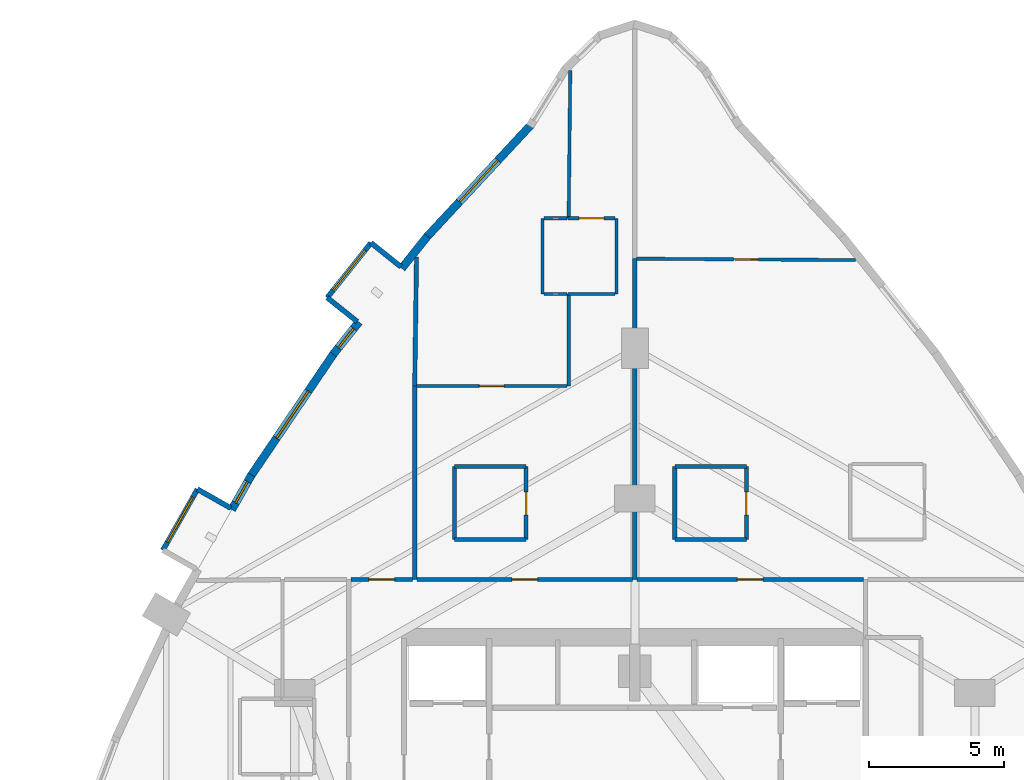
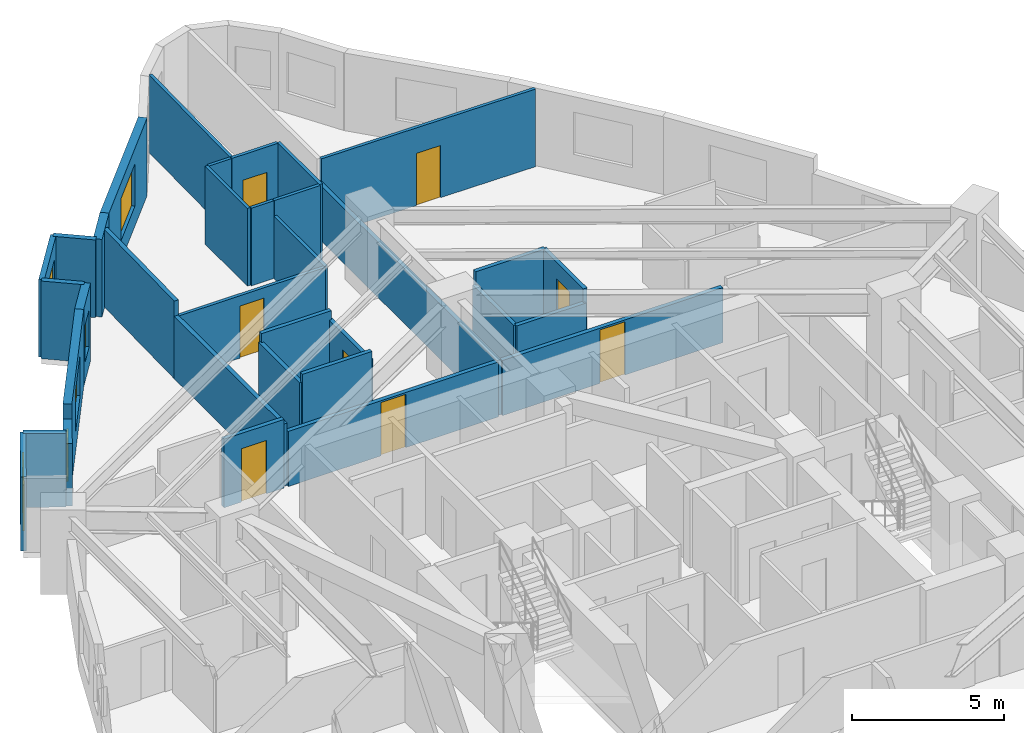
# One storey, part 13 of 15: 34 walls, 8 doors, 6 windows, 14 openings.
"""IFC4 building model written with IfcOpenShell, lengths in metres."""

import ifcopenshell
import ifcopenshell.guid

model = None  # the IFC model being written
_history = None  # IfcOwnerHistory: only IFC2X3 demands one
_inside = {}  # id of a spatial element -> (the spatial element, [elements in it])
_under = {}  # id of a project, library or spatial element -> (it, [spatial elements below it])
_declared = {}  # id of a project -> (the project, [libraries it declares])
_typed = {}  # id of a type object -> (the type object, [elements of that type])
_made_of = {}  # id of a material, layer set ... -> (it, [elements and type objects made of it])


def new_model(schema):
    """Start an empty IFC model of exactly this schema.

    Asked for "IFC4X3", IfcOpenShell would pick the latest addendum, in which some entities
    have other attributes; the version numbers below select the first issue.
    IFC2X3 requires an IfcOwnerHistory on every rooted entity: one is made here for all.
    """
    global model, _history
    if schema == "IFC4X3":
        model = ifcopenshell.file(schema_version=(4, 3, 0, 0))
    else:
        model = ifcopenshell.file(schema=schema)
    _inside.clear()
    _under.clear()
    _declared.clear()
    _typed.clear()
    _made_of.clear()
    _history = None
    if model.schema == "IFC2X3":
        org = make("IfcOrganization", Name="unknown")
        user = make(
            "IfcPersonAndOrganization",
            ThePerson=make("IfcPerson", FamilyName="unknown"),
            TheOrganization=org,
        )
        app = make(
            "IfcApplication",
            ApplicationDeveloper=org,
            Version="unknown",
            ApplicationFullName="unknown",
            ApplicationIdentifier="unknown",
        )
        _history = make(
            "IfcOwnerHistory",
            OwningUser=user,
            OwningApplication=app,
            ChangeAction="ADDED",
            CreationDate=0,
        )
    return model


def make(cls, **values):
    """One entity of the class cls with the attributes given. An attribute that is None is left unset."""
    return model.create_entity(
        cls, **{name: value for name, value in values.items() if value is not None}
    )


def rooted(cls, **values):
    """An entity with a GlobalId (a new one), such as an element, a storey or a relation."""
    return make(cls, GlobalId=ifcopenshell.guid.new(), OwnerHistory=_history, **values)


def si_unit(unit_type, name, prefix=None):
    """IfcSIUnit, for example si_unit("LENGTHUNIT", "METRE", prefix="MILLI")."""
    return make("IfcSIUnit", UnitType=unit_type, Prefix=prefix, Name=name)


def assignment(units):
    """IfcUnitAssignment: the units of a project."""
    return None if units is None else make("IfcUnitAssignment", Units=units)


def point(xyz):
    """IfcCartesianPoint."""
    return None if xyz is None else make("IfcCartesianPoint", Coordinates=xyz)


def direction(xyz):
    """IfcDirection."""
    return None if xyz is None else make("IfcDirection", DirectionRatios=xyz)


def frame(location, z_axis=None, x_axis=None):
    """IfcAxis2Placement3D, a coordinate frame: its origin and axes. An axis left out is left unset."""
    return make(
        "IfcAxis2Placement3D",
        Location=point(location),
        Axis=direction(z_axis),
        RefDirection=direction(x_axis),
    )


def frame_2d(location, x_axis=None):
    """IfcAxis2Placement2D, a coordinate frame in the plane: its origin and x axis."""
    return make(
        "IfcAxis2Placement2D", Location=point(location), RefDirection=direction(x_axis)
    )


def origin():
    """The frame at (0, 0, 0) with its axes left unset."""
    return frame((0.0, 0.0, 0.0))


def place(relative_to, where):
    """IfcLocalPlacement: puts the frame where relative to a parent placement (None: the world)."""
    return make(
        "IfcLocalPlacement", PlacementRelTo=relative_to, RelativePlacement=where
    )


def context(
    kind, dimensions, precision=None, world=None, true_north=None, identifier=None
):
    """IfcGeometricRepresentationContext, for example the 3D "Model" context."""
    return make(
        "IfcGeometricRepresentationContext",
        ContextIdentifier=identifier,
        ContextType=kind,
        CoordinateSpaceDimension=dimensions,
        Precision=precision,
        WorldCoordinateSystem=world,
        TrueNorth=true_north,
    )


def subcontext(parent, identifier, kind, view, scale=None):
    """IfcGeometricRepresentationSubContext, for example "Body" below "Model"."""
    return make(
        "IfcGeometricRepresentationSubContext",
        ContextIdentifier=identifier,
        ContextType=kind,
        ParentContext=parent,
        TargetScale=scale,
        TargetView=view,
    )


def project(units=None, contexts=None):
    """IfcProject with its units and contexts."""
    return rooted(
        "IfcProject",
        Name="project",
        RepresentationContexts=contexts,
        UnitsInContext=assignment(units),
    )


def spatial(cls, under=None, at=None, **own):
    """A site, building, storey or space (cls), placed at a placement, below another one or the project."""
    s = rooted(cls, ObjectPlacement=at, **own)
    if under is not None:
        _under.setdefault(under.id(), (under, []))[1].append(s)
    return s


def profile(cls, at=None, kind="AREA", **sizes):
    """A parametric profile (cls). Its sizes go by their IFC names, for example OverallWidth=200.0."""
    return make(cls, ProfileType=kind, Position=at, **sizes)


def rectangle(**sizes):
    """IfcRectangleProfileDef."""
    return profile("IfcRectangleProfileDef", **sizes)


def extrude(swept, where, along, depth):
    """IfcExtrudedAreaSolid: the profile swept, set in the frame where, extruded along a direction by depth."""
    return make(
        "IfcExtrudedAreaSolid",
        SweptArea=swept,
        Position=where,
        ExtrudedDirection=direction(along),
        Depth=depth,
    )


def shape(context_of_items, identifier, shape_type, items):
    """IfcShapeRepresentation: the items that make up one representation, for example the "Body"."""
    return make(
        "IfcShapeRepresentation",
        ContextOfItems=context_of_items,
        RepresentationIdentifier=identifier,
        RepresentationType=shape_type,
        Items=items,
    )


def material(Name=None, Category=None):
    """IfcMaterial."""
    return make("IfcMaterial", Name=Name, Category=Category)


def layer(
    of_material, thickness, ventilated=None, Name=None, Category=None, Priority=None
):
    """IfcMaterialLayer: one layer of a wall or slab, of a material (None: an air gap)."""
    return make(
        "IfcMaterialLayer",
        Material=of_material,
        LayerThickness=thickness,
        IsVentilated=ventilated,
        Name=Name,
        Category=Category,
        Priority=Priority,
    )


def layer_set(layers, Name=None):
    """IfcMaterialLayerSet."""
    return make("IfcMaterialLayerSet", MaterialLayers=layers, LayerSetName=Name)


def made_of(thing, what):
    """Note that an element or type object is made of a material, layer set ...; save() writes the relation."""
    if what is not None:
        _made_of.setdefault(what.id(), (what, []))[1].append(thing)
    return thing


def type_object(cls, material=None, **own):
    """A type object (cls), such as IfcWallType, which elements share."""
    return made_of(rooted(cls, **own), material)


def element(
    cls,
    number,
    at=None,
    inside=None,
    cuts=None,
    type_object=None,
    material=None,
    context=None,
    identifier="Body",
    shape_type=None,
    held_by="IfcProductDefinitionShape",
    body=None,
    shapes=None,
    **own,
):
    """One element of the class cls, such as IfcWall. Its Tag is "e" and its number.

    at: its placement. inside: the storey or other place that contains it. cuts: it is an
    opening in that element (IfcRelVoidsElement). A single representation is given by context,
    identifier, shape_type and body (its items); several are given by shapes. held_by: the class
    of the entity that holds the representations. save() writes the other relations.
    """
    e = rooted(cls, Tag="e%d" % number, ObjectPlacement=at, **own)
    if body is not None:
        shapes = [shape(context, identifier, shape_type, body)]
    if shapes is not None:
        e.Representation = make(held_by, Representations=shapes)
    if inside is not None:
        _inside.setdefault(inside.id(), (inside, []))[1].append(e)
    if cuts is not None:
        rooted(
            "IfcRelVoidsElement", RelatingBuildingElement=cuts, RelatedOpeningElement=e
        )
    if type_object is not None:
        _typed.setdefault(type_object.id(), (type_object, []))[1].append(e)
    return made_of(e, material)


def fill(opening, filler):
    """IfcRelFillsElement: the door or window that sits in an opening."""
    return rooted(
        "IfcRelFillsElement",
        RelatingOpeningElement=opening,
        RelatedBuildingElement=filler,
    )


def aggregate(whole, parts):
    """IfcRelAggregates: a whole, such as a stair, and the parts it consists of."""
    return rooted("IfcRelAggregates", RelatingObject=whole, RelatedObjects=parts)


def save(model, path):
    """Write the relations noted so far, then the file.

    IfcRelAggregates (storeys below a building ...), IfcRelContainedInSpatialStructure (elements
    in a storey), IfcRelDefinesByType, IfcRelAssociatesMaterial and IfcRelDeclares: one each for
    every whole, place, type object, material and project.
    """
    for whole, parts in _under.values():
        aggregate(whole, parts)
    for where, things in _inside.values():
        rooted(
            "IfcRelContainedInSpatialStructure",
            RelatedElements=things,
            RelatingStructure=where,
        )
    for kind, things in _typed.values():
        rooted("IfcRelDefinesByType", RelatedObjects=things, RelatingType=kind)
    for what, things in _made_of.values():
        rooted("IfcRelAssociatesMaterial", RelatedObjects=things, RelatingMaterial=what)
    for by, libraries in _declared.values():
        rooted("IfcRelDeclares", RelatingContext=by, RelatedDefinitions=libraries)
    model.write(path)


model = new_model("IFC4")

# Units and contexts
model_context = context("Model", 3, precision=1e-05, world=origin(), true_north=direction((0.0, 1.0)))
body_context = subcontext(model_context, "Body", "Model", "MODEL_VIEW")
ifc_project = project(units=[si_unit("LENGTHUNIT", "METRE"), si_unit("AREAUNIT", "SQUARE_METRE"), si_unit("VOLUMEUNIT", "CUBIC_METRE"), si_unit("PLANEANGLEUNIT", "RADIAN"), si_unit("MASSUNIT", "GRAM", prefix="KILO")], contexts=[model_context])

# Site, building, storey
site_placement = place(None, origin())
site = spatial("IfcSite", under=ifc_project, at=site_placement, CompositionType="ELEMENT")
building_placement = place(site_placement, origin())
building = spatial("IfcBuilding", under=site, at=building_placement, Name="Miruveldt Soraemaru", CompositionType="ELEMENT")
storey_placement = place(building_placement, frame((0.0, 0.0, 36.0)))
storey = spatial("IfcBuildingStorey", under=building, at=storey_placement, Name="L09", CompositionType="ELEMENT", Elevation=36.0)

# Walls
ifc_material_1 = material(Name="White powder-coated aluminium EN AW-6060 T6", Category="aluminium")
ifc_layer_1 = layer(ifc_material_1, 0.18994140625, Name="White powder-coated aluminium EN AW-6060 T6", Category="aluminium")
ifc_layer_set_1 = layer_set([ifc_layer_1], Name="White powder-coated aluminium EN AW-6060 T6")
wall_type_1 = type_object("IfcWallType", Name="WALL-BAY-ALU190", PredefinedType="SOLIDWALL", material=ifc_layer_set_1)
for number, where, z_axis, x_axis, name in (
    (1, (35.338623046875, 66.18359375, 0.0), (0.0, 0.0, 1.0), (-0.781737193764, 0.623608017817, 0.0), "L09 Bay Window Side Cheek 1L"),
    (2, (32.60302734375, 65.039794921875, 0.0), (0.0, 0.0, 1.0), (0.781737193764, -0.623608017817, 0.0), "L09 Bay Window Side Cheek 1R"),
):
    element("IfcWall", number, at=place(storey_placement, frame(where, z_axis=z_axis, x_axis=x_axis)), inside=storey, type_object=wall_type_1, Name=name, PredefinedType="SOLIDWALL", context=body_context, shape_type="SweptSolid", body=[
        extrude(rectangle(XDim=1.425048828125, YDim=0.18994140625, at=frame_2d((0.71240234375, 0.0))), origin(), (0.0, 0.0, 1.0), 3.125),
    ])

# Wall, opening, window
wall_1_placement = place(storey_placement, frame((34.224609375, 67.072265625, 0.0), z_axis=(0.0, 0.0, 1.0), x_axis=(-0.623663926583, -0.781692590907, 0.0)))
wall_1 = element("IfcWall", 3, at=wall_1_placement, inside=storey, type_object=wall_type_1, Name="L09 Bay Window Front Frame 1", PredefinedType="SOLIDWALL", context=body_context, shape_type="SweptSolid", body=[
    extrude(rectangle(XDim=2.60009765625, YDim=0.18994140625, at=frame_2d((1.300048828125, 0.0))), origin(), (0.0, 0.0, 1.0), 3.125),
])
opening_1_placement = place(wall_1_placement, frame((0.35009765625, 0.0, 0.550048828125)))
opening_1 = element("IfcOpeningElement", 4, at=opening_1_placement, cuts=wall_1, Name="Opening WN-6", PredefinedType="OPENING", context=body_context, shape_type="SweptSolid", body=[
    extrude(rectangle(XDim=1.89990234375, YDim=1.85009765625, at=frame_2d((0.949951171875, 0.925048828125))), frame((0.0, 0.10498046875, 0.0), z_axis=(0.0, -1.0, 0.0), x_axis=(1.0, 0.0, 0.0)), (0.0, 0.0, 1.0), 0.2099609375),
])
ifc_material_2 = material(Name="Triple low-e insulated glazing", Category="glass")
window_type_1 = type_object("IfcWindowType", Name="WIN-BAYW-1900x1850", PartitioningType="SINGLE_PANEL", PredefinedType="WINDOW", material=ifc_material_2)
window_1_placement = place(opening_1_placement, origin())
window_1 = element("IfcWindow", 5, at=window_1_placement, inside=storey, type_object=window_type_1, Name="L09 Projecting Bay Window 1", OverallHeight=1.85009765625, OverallWidth=1.89990234375, PartitioningType="SINGLE_PANEL", PredefinedType="WINDOW", context=body_context, shape_type="SweptSolid", body=[
    extrude(rectangle(XDim=1.89990234375, YDim=1.85009765625, at=frame_2d((0.949951171875, 0.925048828125))), frame((0.0, 0.030029296875, 0.0), z_axis=(0.0, -1.0, 0.0), x_axis=(1.0, 0.0, 0.0)), (0.0, 0.0, 1.0), 0.06005859375),
])
fill(opening_1, window_1)

# Wall
wall_2_placement = place(storey_placement, frame((29.03466796875, 57.241943359375, 0.0), z_axis=(0.0, 0.0, 1.0), x_axis=(-0.869799191674, 0.493405883794, 0.0)))
element("IfcWall", 6, at=wall_2_placement, inside=storey, type_object=wall_type_1, Name="L09 Bay Window Side Cheek 2L", PredefinedType="SOLIDWALL", context=body_context, shape_type="SweptSolid", body=[
    extrude(rectangle(XDim=1.425048828125, YDim=0.18994140625, at=frame_2d((0.71240234375, 0.0))), origin(), (0.0, 0.0, 1.0), 2.97509765625),
])

# Wall, opening, window
wall_3_placement = place(storey_placement, frame((27.795166015625, 57.945068359375, 0.0), z_axis=(0.0, 0.0, 1.0), x_axis=(-0.493396299813, -0.869804628253, 0.0)))
wall_3 = element("IfcWall", 7, at=wall_3_placement, inside=storey, type_object=wall_type_1, Name="L09 Bay Window Front Frame 2", PredefinedType="SOLIDWALL", context=body_context, shape_type="SweptSolid", body=[
    extrude(rectangle(XDim=2.600341796875, YDim=0.18994140625, at=frame_2d((1.30029296875, 0.0))), origin(), (0.0, 0.0, 1.0), 2.97509765625),
])
opening_2_placement = place(wall_3_placement, frame((0.35009765625, 0.0, 0.550048828125)))
opening_2 = element("IfcOpeningElement", 8, at=opening_2_placement, cuts=wall_3, Name="Opening WN-6", PredefinedType="OPENING", context=body_context, shape_type="SweptSolid", body=[
    extrude(rectangle(XDim=1.89990234375, YDim=1.85009765625, at=frame_2d((0.949951171875, 0.925048828125))), frame((0.0, 0.10498046875, 0.0), z_axis=(0.0, -1.0, 0.0), x_axis=(1.0, 0.0, 0.0)), (0.0, 0.0, 1.0), 0.2099609375),
])
window_2_placement = place(opening_2_placement, origin())
window_2 = element("IfcWindow", 9, at=window_2_placement, inside=storey, type_object=window_type_1, Name="L09 Projecting Bay Window 2", OverallHeight=1.85009765625, OverallWidth=1.89990234375, PartitioningType="SINGLE_PANEL", PredefinedType="WINDOW", context=body_context, shape_type="SweptSolid", body=[
    extrude(rectangle(XDim=1.89990234375, YDim=1.85009765625, at=frame_2d((0.949951171875, 0.925048828125))), frame((0.0, 0.030029296875, 0.0), z_axis=(0.0, -1.0, 0.0), x_axis=(1.0, 0.0, 0.0)), (0.0, 0.0, 1.0), 0.06005859375),
])
fill(opening_2, window_2)

ifc_material_3 = material(Name="Precast concrete C45/55 (45 MPa)", Category="concrete")
ifc_layer_2 = layer(ifc_material_3, 0.300048828125, Name="Precast concrete C45/55 (45 MPa)", Category="concrete")
ifc_layer_set_2 = layer_set([ifc_layer_2], Name="Precast concrete C45/55 (45 MPa)")
wall_type_2 = type_object("IfcWallType", Name="WALL-EXT-PC300", PredefinedType="SOLIDWALL", material=ifc_layer_set_2)
wall_4_placement = place(storey_placement, frame((40.156494140625, 71.447998046875, 0.0), z_axis=(0.0, 0.0, 1.0), x_axis=(-0.680894211577, -0.732381780659, 0.0)))
wall_4 = element("IfcWall", 10, at=wall_4_placement, inside=storey, type_object=wall_type_2, Name="L09 Precast Concrete Facade Wall 7", PredefinedType="SOLIDWALL", context=body_context, shape_type="SweptSolid", body=[
    extrude(rectangle(XDim=5.704345703125, YDim=0.300048828125, at=frame_2d((2.85205078125, 0.0))), origin(), (0.0, 0.0, 1.0), 3.125),
])
opening_3_placement = place(wall_4_placement, frame((1.802001953125, 0.0, 0.800048828125)))
opening_3 = element("IfcOpeningElement", 11, at=opening_3_placement, cuts=wall_4, Name="Opening WN-1", PredefinedType="OPENING", context=body_context, shape_type="SweptSolid", body=[
    extrude(rectangle(XDim=2.10009765625, YDim=1.699951171875, at=frame_2d((1.050048828125, 0.85009765625))), frame((0.0, 0.16015625, 0.0), z_axis=(0.0, -1.0, 0.0), x_axis=(1.0, 0.0, 0.0)), (0.0, 0.0, 1.0), 0.320068359375),
])
window_type_2 = type_object("IfcWindowType", Name="WIN-PUNCH-2100x1700", PartitioningType="SINGLE_PANEL", PredefinedType="WINDOW", material=ifc_material_2)
window_3_placement = place(opening_3_placement, origin())
window_3 = element("IfcWindow", 12, at=window_3_placement, inside=storey, type_object=window_type_2, Name="L09 Punched Triple-Glazed Window 07.1", OverallHeight=1.699951171875, OverallWidth=2.10009765625, PartitioningType="SINGLE_PANEL", PredefinedType="WINDOW", context=body_context, shape_type="SweptSolid", body=[
    extrude(rectangle(XDim=2.10009765625, YDim=1.699951171875, at=frame_2d((1.050048828125, 0.85009765625))), frame((0.0, 0.030029296875, 0.0), z_axis=(0.0, -1.0, 0.0), x_axis=(1.0, 0.0, 0.0)), (0.0, 0.0, 1.0), 0.06005859375),
])
fill(opening_3, window_3)

# Wall
wall_5_placement = place(storey_placement, frame((36.318115234375, 67.3232421875, 0.0), z_axis=(0.0, 0.0, 1.0), x_axis=(-0.623625498771, -0.781723248524, 0.0)))
element("IfcWall", 13, at=wall_5_placement, inside=storey, type_object=wall_type_2, Name="L09 Precast Pier Wall 8A", PredefinedType="SOLIDWALL", context=body_context, shape_type="SweptSolid", body=[
    extrude(rectangle(XDim=1.531982421875, YDim=0.300048828125, at=frame_2d((0.76611328125, 0.0))), origin(), (0.0, 0.0, 1.0), 3.125),
])

# Wall, opening, window
wall_6_placement = place(storey_placement, frame((33.77880859375, 64.140380859375, 0.0), z_axis=(0.0, 0.0, 1.0), x_axis=(-0.623528092971, -0.781800944791, 0.0)))
wall_6 = element("IfcWall", 14, at=wall_6_placement, inside=storey, type_object=wall_type_2, Name="L09 Precast Pier Wall 8B", PredefinedType="SOLIDWALL", context=body_context, shape_type="SweptSolid", body=[
    extrude(rectangle(XDim=1.53173828125, YDim=0.300048828125, at=frame_2d((0.765869140625, 0.0))), origin(), (0.0, 0.0, 1.0), 3.125),
])
opening_4_placement = place(wall_6_placement, frame((0.31591796875, 0.0, 0.780029296875)))
opening_4 = element("IfcOpeningElement", 15, at=opening_4_placement, cuts=wall_6, Name="Opening WN-7", PredefinedType="OPENING", context=body_context, shape_type="SweptSolid", body=[
    extrude(rectangle(XDim=0.89990234375, YDim=1.5, at=frame_2d((0.449951171875, 0.75))), frame((0.0, 0.16015625, 0.0), z_axis=(0.0, -1.0, 0.0), x_axis=(1.0, 0.0, 0.0)), (0.0, 0.0, 1.0), 0.320068359375),
])
window_type_3 = type_object("IfcWindowType", Name="WIN-PUNCH-900x1500", PartitioningType="SINGLE_PANEL", PredefinedType="WINDOW", material=ifc_material_2)
window_4_placement = place(opening_4_placement, origin())
window_4 = element("IfcWindow", 16, at=window_4_placement, inside=storey, type_object=window_type_3, Name="L09 Punched Triple-Glazed Window 08B.1", OverallHeight=1.5, OverallWidth=0.89990234375, PartitioningType="SINGLE_PANEL", PredefinedType="WINDOW", context=body_context, shape_type="SweptSolid", body=[
    extrude(rectangle(XDim=0.89990234375, YDim=1.5, at=frame_2d((0.449951171875, 0.75))), frame((0.0, 0.030029296875, 0.0), z_axis=(0.0, -1.0, 0.0), x_axis=(1.0, 0.0, 0.0)), (0.0, 0.0, 1.0), 0.06005859375),
])
fill(opening_4, window_4)

wall_7_placement = place(storey_placement, frame((32.864990234375, 62.999267578125, 0.0), z_axis=(0.0, 0.0, 1.0), x_axis=(-0.560813032948, -0.827942475101, 0.0)))
wall_7 = element("IfcWall", 17, at=wall_7_placement, inside=storey, type_object=wall_type_2, Name="L09 Precast Concrete Facade Wall 9", PredefinedType="SOLIDWALL", context=body_context, shape_type="SweptSolid", body=[
    extrude(rectangle(XDim=5.534912109375, YDim=0.300048828125, at=frame_2d((2.767578125, 0.0))), origin(), (0.0, 0.0, 1.0), 3.125),
])
opening_5_placement = place(wall_7_placement, frame((1.718017578125, 0.0, 0.800048828125)))
opening_5 = element("IfcOpeningElement", 18, at=opening_5_placement, cuts=wall_7, Name="Opening WN-1", PredefinedType="OPENING", context=body_context, shape_type="SweptSolid", body=[
    extrude(rectangle(XDim=2.10009765625, YDim=1.699951171875, at=frame_2d((1.050048828125, 0.85009765625))), frame((0.0, 0.16015625, 0.0), z_axis=(0.0, -1.0, 0.0), x_axis=(1.0, 0.0, 0.0)), (0.0, 0.0, 1.0), 0.320068359375),
])
window_5_placement = place(opening_5_placement, origin())
window_5 = element("IfcWindow", 19, at=window_5_placement, inside=storey, type_object=window_type_2, Name="L09 Punched Triple-Glazed Window 09.1", OverallHeight=1.699951171875, OverallWidth=2.10009765625, PartitioningType="SINGLE_PANEL", PredefinedType="WINDOW", context=body_context, shape_type="SweptSolid", body=[
    extrude(rectangle(XDim=2.10009765625, YDim=1.699951171875, at=frame_2d((1.050048828125, 0.85009765625))), frame((0.0, 0.030029296875, 0.0), z_axis=(0.0, -1.0, 0.0), x_axis=(1.0, 0.0, 0.0)), (0.0, 0.0, 1.0), 0.06005859375),
])
fill(opening_5, window_5)

wall_8_placement = place(storey_placement, frame((29.7978515625, 58.47607421875, 0.0), z_axis=(0.0, 0.0, 1.0), x_axis=(-0.493382949602, -0.86981220102, 0.0)))
wall_8 = element("IfcWall", 20, at=wall_8_placement, inside=storey, type_object=wall_type_2, Name="L09 Precast Pier Wall 10A", PredefinedType="SOLIDWALL", context=body_context, shape_type="SweptSolid", body=[
    extrude(rectangle(XDim=1.47998046875, YDim=0.300048828125, at=frame_2d((0.739990234375, 0.0))), origin(), (0.0, 0.0, 1.0), 2.512939453125),
])
opening_6_placement = place(wall_8_placement, frame((0.2900390625, 0.0, 0.780029296875)))
opening_6 = element("IfcOpeningElement", 21, at=opening_6_placement, cuts=wall_8, Name="Opening WN-7", PredefinedType="OPENING", context=body_context, shape_type="SweptSolid", body=[
    extrude(rectangle(XDim=0.89990234375, YDim=1.5, at=frame_2d((0.449951171875, 0.75))), frame((0.0, 0.16015625, 0.0), z_axis=(0.0, -1.0, 0.0), x_axis=(1.0, 0.0, 0.0)), (0.0, 0.0, 1.0), 0.320068359375),
])
window_6_placement = place(opening_6_placement, origin())
window_6 = element("IfcWindow", 22, at=window_6_placement, inside=storey, type_object=window_type_3, Name="L09 Punched Triple-Glazed Window 10A.1", OverallHeight=1.5, OverallWidth=0.89990234375, PartitioningType="SINGLE_PANEL", PredefinedType="WINDOW", context=body_context, shape_type="SweptSolid", body=[
    extrude(rectangle(XDim=0.89990234375, YDim=1.5, at=frame_2d((0.449951171875, 0.75))), frame((0.0, 0.030029296875, 0.0), z_axis=(0.0, -1.0, 0.0), x_axis=(1.0, 0.0, 0.0)), (0.0, 0.0, 1.0), 0.06005859375),
])
fill(opening_6, window_6)

# Wall, opening, door
ifc_material_4 = material(Name="Gypsum plasterboard lining", Category="gypsum")
ifc_layer_3 = layer(ifc_material_4, 0.1201171875, Name="Gypsum plasterboard lining", Category="gypsum")
ifc_layer_set_3 = layer_set([ifc_layer_3], Name="Gypsum plasterboard lining")
wall_type_3 = type_object("IfcWallType", Name="WALL-INT-P120", PredefinedType="PARTITIONING", material=ifc_layer_set_3)
wall_9_placement = place(storey_placement, frame((52.18310546875, 66.430908203125, 0.0), z_axis=(0.0, 0.0, 1.0), x_axis=(-0.999978732433, 0.006521861774, 0.0)))
wall_9 = element("IfcWall", 23, at=wall_9_placement, inside=storey, type_object=wall_type_3, Name="L09 Partition Wall 39", PredefinedType="PARTITIONING", context=body_context, shape_type="SweptSolid", body=[
    extrude(rectangle(XDim=8.123291015625, YDim=0.1201171875, at=frame_2d((4.0615234375, 0.0))), origin(), (0.0, 0.0, 1.0), 3.125),
])
opening_7_placement = place(wall_9_placement, frame((3.60205078125, 0.0, 0.0)))
opening_7 = element("IfcOpeningElement", 24, at=opening_7_placement, cuts=wall_9, Name="Opening D3A", PredefinedType="OPENING", context=body_context, shape_type="SweptSolid", body=[
    extrude(rectangle(XDim=0.919921875, YDim=2.10009765625, at=frame_2d((0.4599609375, 1.050048828125))), frame((0.0, 0.070068359375, 0.0), z_axis=(0.0, -1.0, 0.0), x_axis=(1.0, 0.0, 0.0)), (0.0, 0.0, 1.0), 0.14013671875),
])
ifc_material_5 = material(Name="Anodised aluminium EN AW-6063 T6", Category="aluminium")
door_type_1 = type_object("IfcDoorType", Name="DOOR-INT-920", OperationType="NOTDEFINED", PredefinedType="DOOR", material=ifc_material_5)
door_1_placement = place(opening_7_placement, origin())
door_1 = element("IfcDoor", 25, at=door_1_placement, inside=storey, type_object=door_type_1, Name="L09 Unit CL03 DIN Door", OperationType="SINGLE_SWING_LEFT", OverallHeight=2.10009765625, OverallWidth=0.919921875, PredefinedType="DOOR", context=body_context, shape_type="SweptSolid", body=[
    extrude(rectangle(XDim=0.919921875, YDim=2.10009765625, at=frame_2d((0.4599609375, 1.050048828125))), frame((0.0, 0.02490234375, 0.0), z_axis=(0.0, -1.0, 0.0), x_axis=(1.0, 0.0, 0.0)), (0.0, 0.0, 1.0), 0.050048828125),
])
fill(opening_7, door_1)

wall_10_placement = place(storey_placement, frame((41.489990234375, 61.77099609375, 0.0), z_axis=(0.0, 0.0, 1.0), x_axis=(-1.0, 0.0, 0.0)))
wall_10 = element("IfcWall", 26, at=wall_10_placement, inside=storey, type_object=wall_type_3, Name="L09 Partition Wall 25", PredefinedType="PARTITIONING", context=body_context, shape_type="SweptSolid", body=[
    extrude(rectangle(XDim=5.583984375, YDim=0.1201171875, at=frame_2d((2.7919921875, 0.0))), origin(), (0.0, 0.0, 1.0), 2.512939453125),
])
opening_8_placement = place(wall_10_placement, frame((2.33203125, 0.0, 0.0)))
opening_8 = element("IfcOpeningElement", 27, at=opening_8_placement, cuts=wall_10, Name="Opening D3A", PredefinedType="OPENING", context=body_context, shape_type="SweptSolid", body=[
    extrude(rectangle(XDim=0.919921875, YDim=2.10009765625, at=frame_2d((0.4599609375, 1.050048828125))), frame((0.0, 0.070068359375, 0.0), z_axis=(0.0, -1.0, 0.0), x_axis=(1.0, 0.0, 0.0)), (0.0, 0.0, 1.0), 0.14013671875),
])
door_2_placement = place(opening_8_placement, origin())
door_2 = element("IfcDoor", 28, at=door_2_placement, inside=storey, type_object=door_type_1, Name="L09 Unit 0902 BD1 Door", OperationType="SINGLE_SWING_LEFT", OverallHeight=2.10009765625, OverallWidth=0.919921875, PredefinedType="DOOR", context=body_context, shape_type="SweptSolid", body=[
    extrude(rectangle(XDim=0.919921875, YDim=2.10009765625, at=frame_2d((0.4599609375, 1.050048828125))), frame((0.0, 0.02490234375, 0.0), z_axis=(0.0, -1.0, 0.0), x_axis=(1.0, 0.0, 0.0)), (0.0, 0.0, 1.0), 0.050048828125),
])
fill(opening_8, door_2)

wall_11_placement = place(storey_placement, frame((43.26611328125, 67.97998046875, 0.0), z_axis=(0.0, 0.0, 1.0), x_axis=(-1.0, 0.0, 0.0)))
wall_11 = element("IfcWall", 29, at=wall_11_placement, inside=storey, type_object=wall_type_3, Name="L09 Partition Wall 21", PredefinedType="PARTITIONING", context=body_context, shape_type="SweptSolid", body=[
    extrude(rectangle(XDim=1.74609375, YDim=0.1201171875, at=frame_2d((0.873046875, 0.0))), origin(), (0.0, 0.0, 1.0), 3.125),
])
opening_9_placement = place(wall_11_placement, frame((0.4130859375, 0.0, 0.0)))
opening_9 = element("IfcOpeningElement", 30, at=opening_9_placement, cuts=wall_11, Name="Opening D3A", PredefinedType="OPENING", context=body_context, shape_type="SweptSolid", body=[
    extrude(rectangle(XDim=0.919921875, YDim=2.10009765625, at=frame_2d((0.4599609375, 1.050048828125))), frame((0.0, 0.070068359375, 0.0), z_axis=(0.0, -1.0, 0.0), x_axis=(1.0, 0.0, 0.0)), (0.0, 0.0, 1.0), 0.14013671875),
])
door_3_placement = place(opening_9_placement, origin())
door_3 = element("IfcDoor", 31, at=door_3_placement, inside=storey, type_object=door_type_1, Name="L09 Unit 0902 KIT Door", OperationType="SINGLE_SWING_RIGHT", OverallHeight=2.10009765625, OverallWidth=0.919921875, PredefinedType="DOOR", context=body_context, shape_type="SweptSolid", body=[
    extrude(rectangle(XDim=0.919921875, YDim=2.10009765625, at=frame_2d((0.4599609375, 1.050048828125))), frame((0.0, 0.02490234375, 0.0), z_axis=(0.0, -1.0, 0.0), x_axis=(1.0, 0.0, 0.0)), (0.0, 0.0, 1.0), 0.050048828125),
])
fill(opening_9, door_3)

# Walls
wall_12_placement = place(storey_placement, frame((41.60888671875, 73.4580078125, 0.0), z_axis=(0.0, 0.0, 1.0), x_axis=(-0.010740088242, -0.999942323589, 0.0)))
element("IfcWall", 32, at=wall_12_placement, inside=storey, type_object=wall_type_3, Name="L09 Partition Wall 23", PredefinedType="PARTITIONING", context=body_context, shape_type="SweptSolid", body=[
    extrude(rectangle(XDim=5.478271484375, YDim=0.1201171875, at=frame_2d((2.7392578125, 0.0))), origin(), (0.0, 0.0, 1.0), 3.125),
])
wall_13_placement = place(storey_placement, frame((41.550048828125, 65.179931640625, 0.0), z_axis=(0.0, 0.0, 1.0), x_axis=(0.0, -1.0, 0.0)))
element("IfcWall", 33, at=wall_13_placement, inside=storey, type_object=wall_type_3, Name="L09 Partition Wall 24", PredefinedType="PARTITIONING", context=body_context, shape_type="SweptSolid", body=[
    extrude(rectangle(XDim=3.408935546875, YDim=0.1201171875, at=frame_2d((1.70458984375, 0.0))), origin(), (0.0, 0.0, 1.0), 2.512939453125),
])
for number, where, z_axis, x_axis, name in (
    (34, (43.325927734375, 65.179931640625, 0.0), (0.0, 0.0, 1.0), (0.0, 1.0, 0.0), "L09 Partition Wall 20"),
    (35, (40.575927734375, 67.97998046875, 0.0), (0.0, 0.0, 1.0), (0.0, -1.0, 0.0), "L09 Partition Wall 29"),
):
    element("IfcWall", number, at=place(storey_placement, frame(where, z_axis=z_axis, x_axis=x_axis)), inside=storey, type_object=wall_type_3, Name=name, PredefinedType="PARTITIONING", context=body_context, shape_type="SweptSolid", body=[
        extrude(rectangle(XDim=2.800048828125, YDim=0.1201171875, at=frame_2d((1.39990234375, 0.0))), origin(), (0.0, 0.0, 1.0), 3.125),
    ])
wall_14_placement = place(storey_placement, frame((41.52001953125, 65.179931640625, 0.0), z_axis=(0.0, 0.0, 1.0), x_axis=(1.0, 0.0, 0.0)))
element("IfcWall", 36, at=wall_14_placement, inside=storey, type_object=wall_type_3, Name="L09 Partition Wall 22", PredefinedType="PARTITIONING", context=body_context, shape_type="SweptSolid", body=[
    extrude(rectangle(XDim=1.74609375, YDim=0.1201171875, at=frame_2d((0.873046875, 0.0))), origin(), (0.0, 0.0, 1.0), 3.125),
])
for number, where, z_axis, x_axis, name in (
    (37, (41.489990234375, 67.97998046875, 0.0), (0.0, 0.0, 1.0), (-1.0, 0.0, 0.0), "L09 Partition Wall 28"),
    (38, (40.635986328125, 65.179931640625, 0.0), (0.0, 0.0, 1.0), (1.0, 0.0, 0.0), "L09 Partition Wall 30"),
):
    element("IfcWall", number, at=place(storey_placement, frame(where, z_axis=z_axis, x_axis=x_axis)), inside=storey, type_object=wall_type_3, Name=name, PredefinedType="PARTITIONING", context=body_context, shape_type="SweptSolid", body=[
        extrude(rectangle(XDim=0.85400390625, YDim=0.1201171875, at=frame_2d((0.427001953125, 0.0))), origin(), (0.0, 0.0, 1.0), 3.125),
    ])

# Wall, opening, door
ifc_layer_4 = layer(ifc_material_4, 0.14990234375, Name="Gypsum plasterboard lining", Category="gypsum")
ifc_layer_set_4 = layer_set([ifc_layer_4], Name="Gypsum plasterboard lining")
wall_type_4 = type_object("IfcWallType", Name="WALL-INT-PLUMB", PredefinedType="PLUMBINGWALL", material=ifc_layer_set_4)
wall_15_placement = place(storey_placement, frame((39.97607421875, 56.080078125, 0.0), z_axis=(0.0, 0.0, 1.0), x_axis=(0.0, 1.0, 0.0)))
wall_15 = element("IfcWall", 39, at=wall_15_placement, inside=storey, type_object=wall_type_4, Name="L09 Partition Wall 16", PredefinedType="PLUMBINGWALL", context=body_context, shape_type="SweptSolid", body=[
    extrude(rectangle(XDim=2.699951171875, YDim=0.14990234375, at=frame_2d((1.35009765625, 0.0))), origin(), (0.0, 0.0, 1.0), 2.762939453125),
])
opening_10_placement = place(wall_15_placement, frame((0.909912109375, 0.0, 0.0)))
opening_10 = element("IfcOpeningElement", 40, at=opening_10_placement, cuts=wall_15, Name="Opening FD3", PredefinedType="OPENING", context=body_context, shape_type="SweptSolid", body=[
    extrude(rectangle(XDim=0.85009765625, YDim=2.10009765625, at=frame_2d((0.425048828125, 1.050048828125))), frame((0.0, 0.0849609375, 0.0), z_axis=(0.0, -1.0, 0.0), x_axis=(1.0, 0.0, 0.0)), (0.0, 0.0, 1.0), 0.169921875),
])
door_type_2 = type_object("IfcDoorType", Name="DOOR-FD3-850", OperationType="NOTDEFINED", PredefinedType="DOOR", material=ifc_material_5)
door_4_placement = place(opening_10_placement, origin())
door_4 = element("IfcDoor", 41, at=door_4_placement, inside=storey, type_object=door_type_2, Name="L09 Unit 0902 BTH Door", OperationType="SINGLE_SWING_LEFT", OverallHeight=2.10009765625, OverallWidth=0.85009765625, PredefinedType="DOOR", context=body_context, shape_type="SweptSolid", body=[
    extrude(rectangle(XDim=0.85009765625, YDim=2.10009765625, at=frame_2d((0.425048828125, 1.050048828125))), frame((0.0, 0.02490234375, 0.0), z_axis=(0.0, -1.0, 0.0), x_axis=(1.0, 0.0, 0.0)), (0.0, 0.0, 1.0), 0.050048828125),
])
fill(opening_10, door_4)

wall_16_placement = place(storey_placement, frame((48.1298828125, 56.080078125, 0.0), z_axis=(0.0, 0.0, 1.0), x_axis=(0.0, 1.0, 0.0)))
wall_16 = element("IfcWall", 42, at=wall_16_placement, inside=storey, type_object=wall_type_4, Name="L09 Partition Wall 31", PredefinedType="PLUMBINGWALL", context=body_context, shape_type="SweptSolid", body=[
    extrude(rectangle(XDim=2.699951171875, YDim=0.14990234375, at=frame_2d((1.35009765625, 0.0))), origin(), (0.0, 0.0, 1.0), 2.762939453125),
])
opening_11_placement = place(wall_16_placement, frame((0.909912109375, 0.0, 0.0)))
opening_11 = element("IfcOpeningElement", 43, at=opening_11_placement, cuts=wall_16, Name="Opening FD3", PredefinedType="OPENING", context=body_context, shape_type="SweptSolid", body=[
    extrude(rectangle(XDim=0.85009765625, YDim=2.10009765625, at=frame_2d((0.425048828125, 1.050048828125))), frame((0.0, 0.0849609375, 0.0), z_axis=(0.0, -1.0, 0.0), x_axis=(1.0, 0.0, 0.0)), (0.0, 0.0, 1.0), 0.169921875),
])
door_5_placement = place(opening_11_placement, origin())
door_5 = element("IfcDoor", 44, at=door_5_placement, inside=storey, type_object=door_type_2, Name="L09 Unit CL03 BTH Door", OperationType="SINGLE_SWING_LEFT", OverallHeight=2.10009765625, OverallWidth=0.85009765625, PredefinedType="DOOR", context=body_context, shape_type="SweptSolid", body=[
    extrude(rectangle(XDim=0.85009765625, YDim=2.10009765625, at=frame_2d((0.425048828125, 1.050048828125))), frame((0.0, 0.02490234375, 0.0), z_axis=(0.0, -1.0, 0.0), x_axis=(1.0, 0.0, 0.0)), (0.0, 0.0, 1.0), 0.050048828125),
])
fill(opening_11, door_5)

# Walls
wall_17_placement = place(storey_placement, frame((37.325927734375, 58.780029296875, 0.0), z_axis=(0.0, 0.0, 1.0), x_axis=(0.0, -1.0, 0.0)))
element("IfcWall", 45, at=wall_17_placement, inside=storey, type_object=wall_type_4, Name="L09 Partition Wall 18", PredefinedType="PLUMBINGWALL", context=body_context, shape_type="SweptSolid", body=[
    extrude(rectangle(XDim=2.699951171875, YDim=0.14990234375, at=frame_2d((1.35009765625, 0.0))), origin(), (0.0, 0.0, 1.0), 2.762939453125),
])
wall_18_placement = place(storey_placement, frame((45.47998046875, 58.780029296875, 0.0), z_axis=(0.0, 0.0, 1.0), x_axis=(0.0, -1.0, 0.0)))
element("IfcWall", 46, at=wall_18_placement, inside=storey, type_object=wall_type_4, Name="L09 Partition Wall 33", PredefinedType="PLUMBINGWALL", context=body_context, shape_type="SweptSolid", body=[
    extrude(rectangle(XDim=2.699951171875, YDim=0.14990234375, at=frame_2d((1.35009765625, 0.0))), origin(), (0.0, 0.0, 1.0), 2.219970703125),
])
wall_19_placement = place(storey_placement, frame((48.1298828125, 58.780029296875, 0.0), z_axis=(0.0, 0.0, 1.0), x_axis=(-1.0, 0.0, 0.0)))
element("IfcWall", 47, at=wall_19_placement, inside=storey, type_object=wall_type_4, Name="L09 Partition Wall 32", PredefinedType="PLUMBINGWALL", context=body_context, shape_type="SweptSolid", body=[
    extrude(rectangle(XDim=2.64990234375, YDim=0.14990234375, at=frame_2d((1.324951171875, 0.0))), origin(), (0.0, 0.0, 1.0), 2.762939453125),
])
wall_20_placement = place(storey_placement, frame((45.47998046875, 56.080078125, 0.0), z_axis=(0.0, 0.0, 1.0), x_axis=(1.0, 0.0, 0.0)))
element("IfcWall", 48, at=wall_20_placement, inside=storey, type_object=wall_type_4, Name="L09 Partition Wall 34", PredefinedType="PLUMBINGWALL", context=body_context, shape_type="SweptSolid", body=[
    extrude(rectangle(XDim=2.64990234375, YDim=0.14990234375, at=frame_2d((1.324951171875, 0.0))), origin(), (0.0, 0.0, 1.0), 2.219970703125),
])
for number, where, z_axis, x_axis, name in (
    (49, (39.97607421875, 58.780029296875, 0.0), (0.0, 0.0, 1.0), (-1.0, 0.0, 0.0), "L09 Partition Wall 17"),
    (50, (37.325927734375, 56.080078125, 0.0), (0.0, 0.0, 1.0), (1.0, 0.0, 0.0), "L09 Partition Wall 19"),
):
    element("IfcWall", number, at=place(storey_placement, frame(where, z_axis=z_axis, x_axis=x_axis)), inside=storey, type_object=wall_type_4, Name=name, PredefinedType="PLUMBINGWALL", context=body_context, shape_type="SweptSolid", body=[
        extrude(rectangle(XDim=2.650146484375, YDim=0.14990234375, at=frame_2d((1.3251953125, 0.0))), origin(), (0.0, 0.0, 1.0), 3.125),
    ])

# Wall, opening, door
ifc_material_6 = material(Name="Concrete C40/50 (40 MPa)", Category="concrete")
ifc_layer_5 = layer(ifc_material_6, 0.159912109375, Name="Concrete C40/50 (40 MPa)", Category="concrete")
ifc_layer_set_5 = layer_set([ifc_layer_5], Name="Concrete C40/50 (40 MPa)")
wall_type_5 = type_object("IfcWallType", Name="WALL-INT-RC160", PredefinedType="SOLIDWALL", material=ifc_layer_set_5)
wall_21_placement = place(storey_placement, frame((52.469970703125, 54.60009765625, 0.0), z_axis=(0.0, 0.0, 1.0), x_axis=(-1.0, 0.0, 0.0)))
wall_21 = element("IfcWall", 51, at=wall_21_placement, inside=storey, type_object=wall_type_5, Name="L09 Partition Wall 3", PredefinedType="SOLIDWALL", context=body_context, shape_type="SweptSolid", body=[
    extrude(rectangle(XDim=8.389892578125, YDim=0.159912109375, at=frame_2d((4.19482421875, 0.0))), origin(), (0.0, 0.0, 1.0), 2.219970703125),
])
opening_12_placement = place(wall_21_placement, frame((3.719970703125, 0.0, 0.0)))
opening_12 = element("IfcOpeningElement", 52, at=opening_12_placement, cuts=wall_21, Name="Opening FD2", PredefinedType="OPENING", context=body_context, shape_type="SweptSolid", body=[
    extrude(rectangle(XDim=0.949951171875, YDim=2.14990234375, at=frame_2d((0.47509765625, 1.074951171875))), frame((0.0, 0.08984375, 0.0), z_axis=(0.0, -1.0, 0.0), x_axis=(1.0, 0.0, 0.0)), (0.0, 0.0, 1.0), 0.179931640625),
])
door_type_3 = type_object("IfcDoorType", Name="DOOR-FD2-950", OperationType="NOTDEFINED", PredefinedType="DOOR", material=ifc_material_5)
door_6_placement = place(opening_12_placement, origin())
door_6 = element("IfcDoor", 53, at=door_6_placement, inside=storey, type_object=door_type_3, Name="L09 Unit CL03 Entrance Fire Door", OperationType="SINGLE_SWING_RIGHT", OverallHeight=2.14990234375, OverallWidth=0.949951171875, PredefinedType="DOOR", context=body_context, shape_type="SweptSolid", body=[
    extrude(rectangle(XDim=0.949951171875, YDim=2.14990234375, at=frame_2d((0.47509765625, 1.074951171875))), frame((0.0, 0.02490234375, 0.0), z_axis=(0.0, -1.0, 0.0), x_axis=(1.0, 0.0, 0.0)), (0.0, 0.0, 1.0), 0.050048828125),
])
fill(opening_12, door_6)

wall_22_placement = place(storey_placement, frame((43.919921875, 54.60009765625, 0.0), z_axis=(0.0, 0.0, 1.0), x_axis=(-1.0, 0.0, 0.0)))
wall_22 = element("IfcWall", 54, at=wall_22_placement, inside=storey, type_object=wall_type_5, Name="L09 Partition Wall 2", PredefinedType="SOLIDWALL", context=body_context, shape_type="SweptSolid", body=[
    extrude(rectangle(XDim=7.993896484375, YDim=0.159912109375, at=frame_2d((3.9970703125, 0.0))), origin(), (0.0, 0.0, 1.0), 2.219970703125),
])
opening_13_placement = place(wall_22_placement, frame((3.52197265625, 0.0, 0.0)))
opening_13 = element("IfcOpeningElement", 55, at=opening_13_placement, cuts=wall_22, Name="Opening FD2", PredefinedType="OPENING", context=body_context, shape_type="SweptSolid", body=[
    extrude(rectangle(XDim=0.949951171875, YDim=2.14990234375, at=frame_2d((0.47509765625, 1.074951171875))), frame((0.0, 0.08984375, 0.0), z_axis=(0.0, -1.0, 0.0), x_axis=(1.0, 0.0, 0.0)), (0.0, 0.0, 1.0), 0.179931640625),
])
door_7_placement = place(opening_13_placement, origin())
door_7 = element("IfcDoor", 56, at=door_7_placement, inside=storey, type_object=door_type_3, Name="L09 Unit 0902 Entrance Fire Door", OperationType="SINGLE_SWING_RIGHT", OverallHeight=2.14990234375, OverallWidth=0.949951171875, PredefinedType="DOOR", context=body_context, shape_type="SweptSolid", body=[
    extrude(rectangle(XDim=0.949951171875, YDim=2.14990234375, at=frame_2d((0.47509765625, 1.074951171875))), frame((0.0, 0.02490234375, 0.0), z_axis=(0.0, -1.0, 0.0), x_axis=(1.0, 0.0, 0.0)), (0.0, 0.0, 1.0), 0.050048828125),
])
fill(opening_13, door_7)

wall_23_placement = place(storey_placement, frame((35.76611328125, 54.60009765625, 0.0), z_axis=(0.0, 0.0, 1.0), x_axis=(-1.0, 0.0, 0.0)))
wall_23 = element("IfcWall", 57, at=wall_23_placement, inside=storey, type_object=wall_type_5, Name="L09 Partition Wall 1", PredefinedType="SOLIDWALL", context=body_context, shape_type="SweptSolid", body=[
    extrude(rectangle(XDim=2.2861328125, YDim=0.159912109375, at=frame_2d((1.14306640625, 0.0))), origin(), (0.0, 0.0, 1.0), 2.762939453125),
])
opening_14_placement = place(wall_23_placement, frame((0.66796875, 0.0, 0.0)))
opening_14 = element("IfcOpeningElement", 58, at=opening_14_placement, cuts=wall_23, Name="Opening FD2", PredefinedType="OPENING", context=body_context, shape_type="SweptSolid", body=[
    extrude(rectangle(XDim=0.949951171875, YDim=2.14990234375, at=frame_2d((0.47509765625, 1.074951171875))), frame((0.0, 0.08984375, 0.0), z_axis=(0.0, -1.0, 0.0), x_axis=(1.0, 0.0, 0.0)), (0.0, 0.0, 1.0), 0.179931640625),
])
door_8_placement = place(opening_14_placement, origin())
door_8 = element("IfcDoor", 59, at=door_8_placement, inside=storey, type_object=door_type_3, Name="L09 Unit CL01 Entrance Fire Door", OperationType="SINGLE_SWING_LEFT", OverallHeight=2.14990234375, OverallWidth=0.949951171875, PredefinedType="DOOR", context=body_context, shape_type="SweptSolid", body=[
    extrude(rectangle(XDim=0.949951171875, YDim=2.14990234375, at=frame_2d((0.47509765625, 1.074951171875))), frame((0.0, 0.02490234375, 0.0), z_axis=(0.0, -1.0, 0.0), x_axis=(1.0, 0.0, 0.0)), (0.0, 0.0, 1.0), 0.050048828125),
])
fill(opening_14, door_8)

# Walls
wall_24_placement = place(storey_placement, frame((44.0, 54.60009765625, 0.0), z_axis=(0.0, 0.0, 1.0), x_axis=(0.0, 1.0, 0.0)))
element("IfcWall", 60, at=wall_24_placement, inside=storey, type_object=wall_type_5, Name="L09 Partition Wall 26", PredefinedType="SOLIDWALL", context=body_context, shape_type="SweptSolid", body=[
    extrude(rectangle(XDim=11.8837890625, YDim=0.159912109375, at=frame_2d((5.94189453125, 0.0))), origin(), (0.0, 0.0, 1.0), 2.219970703125),
])
wall_25_placement = place(storey_placement, frame((35.845947265625, 54.60009765625, 0.0), z_axis=(0.0, 0.0, 1.0), x_axis=(0.0, 1.0, 0.0)))
element("IfcWall", 61, at=wall_25_placement, inside=storey, type_object=wall_type_5, Name="L09 Partition Wall 12", PredefinedType="SOLIDWALL", context=body_context, shape_type="SweptSolid", body=[
    extrude(rectangle(XDim=7.1708984375, YDim=0.159912109375, at=frame_2d((3.58544921875, 0.0))), origin(), (0.0, 0.0, 1.0), 2.512939453125),
])
wall_26_placement = place(storey_placement, frame((35.845947265625, 61.77099609375, 0.0), z_axis=(0.0, 0.0, 1.0), x_axis=(0.013842862508, 0.999904182988, 0.0)))
element("IfcWall", 62, at=wall_26_placement, inside=storey, type_object=wall_type_5, Name="L09 Partition Wall 13", PredefinedType="SOLIDWALL", context=body_context, shape_type="SweptSolid", body=[
    extrude(rectangle(XDim=4.779541015625, YDim=0.159912109375, at=frame_2d((2.3896484375, 0.0))), origin(), (0.0, 0.0, 1.0), 3.125),
])

save(model, "model.ifc")
